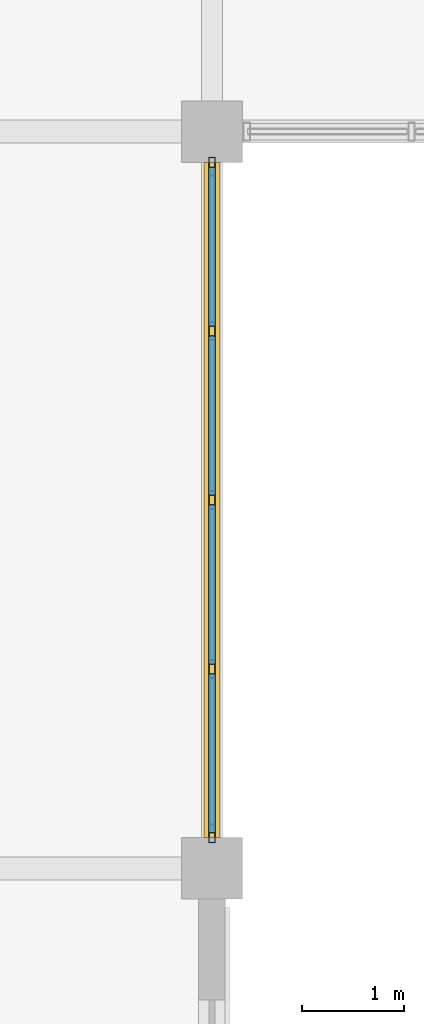
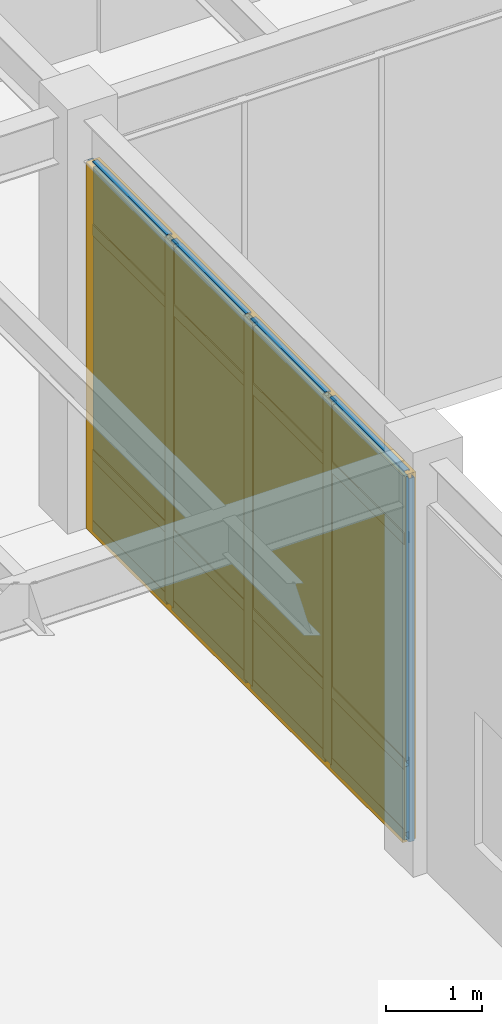
# One storey, part 63 of 97: 21 members, 8 plates, 1 curtain wall.
"""IFC4 building model written with IfcOpenShell, lengths in metres."""

from ifc_helpers import new_model, si_unit, direction, frame, origin, origin_2d, place, context, subcontext, project, spatial, rectangle, hollow_rectangle, extrude, material, layer, layer_set, material_profile, profile_set, type_object, element, aggregate, save


model = new_model("IFC4")

# Units and contexts
model_context = context("Model", 3, precision=1e-05, world=origin(), true_north=direction((0.0, 1.0)))
body_context = subcontext(model_context, "Body", "Model", "MODEL_VIEW")
ifc_project = project(units=[si_unit("LENGTHUNIT", "METRE"), si_unit("AREAUNIT", "SQUARE_METRE"), si_unit("VOLUMEUNIT", "CUBIC_METRE"), si_unit("PLANEANGLEUNIT", "RADIAN"), si_unit("MASSUNIT", "GRAM", prefix="KILO")], contexts=[model_context])

# Member
ifc_material_1 = material(Name="Anodized Aluminium 6063-T6", Category="aluminium")
ifc_material_profile_1 = material_profile(ifc_material_1, hollow_rectangle(XDim=0.06494140625, YDim=0.179931640625, WallThickness=0.00390625, at=origin_2d()), Name="ALU 65x180x4")
ifc_profile_set_1 = profile_set([ifc_material_profile_1], Name="Anodized Aluminium 6063-T6")
member_type_1 = type_object("IfcMemberType", Name="CWM-65X150", PredefinedType="MULLION", material=ifc_profile_set_1)
site_placement = place(None, origin())
building_placement = place(site_placement, origin())
storey_placement = place(building_placement, origin())
member_1_placement = place(storey_placement, frame((36.0, 78.860107421875, 0.02001953125), z_axis=(0.0, 0.0, 1.0), x_axis=(1.0, 0.0, 0.0)))
member_1 = element("IfcMember", 1, at=member_1_placement, type_object=member_type_1, Name="Curtain wall mullion CW-L01-04-10-E-00", PredefinedType="MULLION", context=body_context, shape_type="SweptSolid", body=[
    extrude(hollow_rectangle(XDim=0.06494140625, YDim=0.179931640625, WallThickness=0.00390625, at=origin_2d()), origin(), (0.0, 0.0, 1.0), 4.626953125),
])

member_2_placement = place(storey_placement, frame((36.0, 77.25, 0.02001953125), z_axis=(0.0, 0.0, 1.0), x_axis=(1.0, 0.0, 0.0)))
member_2 = element("IfcMember", 2, at=member_2_placement, type_object=member_type_1, Name="Curtain wall mullion CW-L01-04-10-E-01", PredefinedType="MULLION", context=body_context, shape_type="SweptSolid", body=[
    extrude(hollow_rectangle(XDim=0.06494140625, YDim=0.179931640625, WallThickness=0.00390625, at=origin_2d()), origin(), (0.0, 0.0, 1.0), 4.626953125),
])

member_3_placement = place(storey_placement, frame((36.0, 75.60009765625, 0.02001953125), z_axis=(0.0, 0.0, 1.0), x_axis=(1.0, 0.0, 0.0)))
member_3 = element("IfcMember", 3, at=member_3_placement, type_object=member_type_1, Name="Curtain wall mullion CW-L01-04-10-E-02", PredefinedType="MULLION", context=body_context, shape_type="SweptSolid", body=[
    extrude(hollow_rectangle(XDim=0.06494140625, YDim=0.179931640625, WallThickness=0.00390625, at=origin_2d()), origin(), (0.0, 0.0, 1.0), 4.626953125),
])

member_4_placement = place(storey_placement, frame((36.0, 73.949951171875, 0.02001953125), z_axis=(0.0, 0.0, 1.0), x_axis=(1.0, 0.0, 0.0)))
member_4 = element("IfcMember", 4, at=member_4_placement, type_object=member_type_1, Name="Curtain wall mullion CW-L01-04-10-E-03", PredefinedType="MULLION", context=body_context, shape_type="SweptSolid", body=[
    extrude(hollow_rectangle(XDim=0.06494140625, YDim=0.179931640625, WallThickness=0.00390625, at=origin_2d()), origin(), (0.0, 0.0, 1.0), 4.626953125),
])

member_5_placement = place(storey_placement, frame((36.0, 72.340087890625, 0.02001953125), z_axis=(0.0, 0.0, 1.0), x_axis=(1.0, 0.0, 0.0)))
member_5 = element("IfcMember", 5, at=member_5_placement, type_object=member_type_1, Name="Curtain wall mullion CW-L01-04-10-E-04", PredefinedType="MULLION", context=body_context, shape_type="SweptSolid", body=[
    extrude(hollow_rectangle(XDim=0.06494140625, YDim=0.179931640625, WallThickness=0.00390625, at=origin_2d()), origin(), (0.0, 0.0, 1.0), 4.626953125),
])

ifc_material_profile_2 = material_profile(ifc_material_1, hollow_rectangle(XDim=0.06494140625, YDim=0.139892578125, WallThickness=0.00390625, at=origin_2d()), Name="ALU 65x140x4")
ifc_profile_set_2 = profile_set([ifc_material_profile_2], Name="Anodized Aluminium 6063-T6")
member_type_2 = type_object("IfcMemberType", Name="CWT-65X120", PredefinedType="USERDEFINED", material=ifc_profile_set_2)
member_6_placement = place(storey_placement, frame((36.0, 78.85009765625, 0.050048828125), z_axis=(0.0, -1.0, 0.0), x_axis=(1.0, 0.0, 0.0)))
member_6 = element("IfcMember", 6, at=member_6_placement, type_object=member_type_2, Name="Curtain wall transom CW-L01-04-10-E-1.01", ObjectType="TRANSOM", PredefinedType="USERDEFINED", context=body_context, shape_type="SweptSolid", body=[
    extrude(hollow_rectangle(XDim=0.06494140625, YDim=0.139892578125, WallThickness=0.00390625, at=origin_2d()), origin(), (0.0, 0.0, 1.0), 1.550048828125),
])

member_7_placement = place(storey_placement, frame((36.0, 77.199951171875, 0.050048828125), z_axis=(0.0, -1.0, 0.0), x_axis=(1.0, 0.0, 0.0)))
member_7 = element("IfcMember", 7, at=member_7_placement, type_object=member_type_2, Name="Curtain wall transom CW-L01-04-10-E-1.02", ObjectType="TRANSOM", PredefinedType="USERDEFINED", context=body_context, shape_type="SweptSolid", body=[
    extrude(hollow_rectangle(XDim=0.06494140625, YDim=0.139892578125, WallThickness=0.00390625, at=origin_2d()), origin(), (0.0, 0.0, 1.0), 1.550048828125),
])

member_8_placement = place(storey_placement, frame((36.0, 75.550048828125, 0.050048828125), z_axis=(0.0, -1.0, 0.0), x_axis=(1.0, 0.0, 0.0)))
member_8 = element("IfcMember", 8, at=member_8_placement, type_object=member_type_2, Name="Curtain wall transom CW-L01-04-10-E-1.03", ObjectType="TRANSOM", PredefinedType="USERDEFINED", context=body_context, shape_type="SweptSolid", body=[
    extrude(hollow_rectangle(XDim=0.06494140625, YDim=0.139892578125, WallThickness=0.00390625, at=origin_2d()), origin(), (0.0, 0.0, 1.0), 1.550048828125),
])

member_9_placement = place(storey_placement, frame((36.0, 73.89990234375, 0.050048828125), z_axis=(0.0, -1.0, 0.0), x_axis=(1.0, 0.0, 0.0)))
member_9 = element("IfcMember", 9, at=member_9_placement, type_object=member_type_2, Name="Curtain wall transom CW-L01-04-10-E-1.04", ObjectType="TRANSOM", PredefinedType="USERDEFINED", context=body_context, shape_type="SweptSolid", body=[
    extrude(hollow_rectangle(XDim=0.06494140625, YDim=0.139892578125, WallThickness=0.00390625, at=origin_2d()), origin(), (0.0, 0.0, 1.0), 1.5498046875),
])

member_10_placement = place(storey_placement, frame((36.0, 78.85009765625, 0.949951171875), z_axis=(0.0, -1.0, 0.0), x_axis=(1.0, 0.0, 0.0)))
member_10 = element("IfcMember", 10, at=member_10_placement, type_object=member_type_2, Name="Curtain wall transom CW-L01-04-10-E-2.01", ObjectType="TRANSOM", PredefinedType="USERDEFINED", context=body_context, shape_type="SweptSolid", body=[
    extrude(hollow_rectangle(XDim=0.06494140625, YDim=0.139892578125, WallThickness=0.00390625, at=origin_2d()), origin(), (0.0, 0.0, 1.0), 1.550048828125),
])

member_11_placement = place(storey_placement, frame((36.0, 77.199951171875, 0.949951171875), z_axis=(0.0, -1.0, 0.0), x_axis=(1.0, 0.0, 0.0)))
member_11 = element("IfcMember", 11, at=member_11_placement, type_object=member_type_2, Name="Curtain wall transom CW-L01-04-10-E-2.02", ObjectType="TRANSOM", PredefinedType="USERDEFINED", context=body_context, shape_type="SweptSolid", body=[
    extrude(hollow_rectangle(XDim=0.06494140625, YDim=0.139892578125, WallThickness=0.00390625, at=origin_2d()), origin(), (0.0, 0.0, 1.0), 1.550048828125),
])

member_12_placement = place(storey_placement, frame((36.0, 75.550048828125, 0.949951171875), z_axis=(0.0, -1.0, 0.0), x_axis=(1.0, 0.0, 0.0)))
member_12 = element("IfcMember", 12, at=member_12_placement, type_object=member_type_2, Name="Curtain wall transom CW-L01-04-10-E-2.03", ObjectType="TRANSOM", PredefinedType="USERDEFINED", context=body_context, shape_type="SweptSolid", body=[
    extrude(hollow_rectangle(XDim=0.06494140625, YDim=0.139892578125, WallThickness=0.00390625, at=origin_2d()), origin(), (0.0, 0.0, 1.0), 1.550048828125),
])

member_13_placement = place(storey_placement, frame((36.0, 73.89990234375, 0.949951171875), z_axis=(0.0, -1.0, 0.0), x_axis=(1.0, 0.0, 0.0)))
member_13 = element("IfcMember", 13, at=member_13_placement, type_object=member_type_2, Name="Curtain wall transom CW-L01-04-10-E-2.04", ObjectType="TRANSOM", PredefinedType="USERDEFINED", context=body_context, shape_type="SweptSolid", body=[
    extrude(hollow_rectangle(XDim=0.06494140625, YDim=0.139892578125, WallThickness=0.00390625, at=origin_2d()), origin(), (0.0, 0.0, 1.0), 1.5498046875),
])

member_14_placement = place(storey_placement, frame((36.0, 78.85009765625, 3.81689453125), z_axis=(0.0, -1.0, 0.0), x_axis=(1.0, 0.0, 0.0)))
member_14 = element("IfcMember", 14, at=member_14_placement, type_object=member_type_2, Name="Curtain wall transom CW-L01-04-10-E-3.01", ObjectType="TRANSOM", PredefinedType="USERDEFINED", context=body_context, shape_type="SweptSolid", body=[
    extrude(hollow_rectangle(XDim=0.06494140625, YDim=0.139892578125, WallThickness=0.00390625, at=origin_2d()), origin(), (0.0, 0.0, 1.0), 1.550048828125),
])

member_15_placement = place(storey_placement, frame((36.0, 77.199951171875, 3.81689453125), z_axis=(0.0, -1.0, 0.0), x_axis=(1.0, 0.0, 0.0)))
member_15 = element("IfcMember", 15, at=member_15_placement, type_object=member_type_2, Name="Curtain wall transom CW-L01-04-10-E-3.02", ObjectType="TRANSOM", PredefinedType="USERDEFINED", context=body_context, shape_type="SweptSolid", body=[
    extrude(hollow_rectangle(XDim=0.06494140625, YDim=0.139892578125, WallThickness=0.00390625, at=origin_2d()), origin(), (0.0, 0.0, 1.0), 1.550048828125),
])

member_16_placement = place(storey_placement, frame((36.0, 75.550048828125, 3.81689453125), z_axis=(0.0, -1.0, 0.0), x_axis=(1.0, 0.0, 0.0)))
member_16 = element("IfcMember", 16, at=member_16_placement, type_object=member_type_2, Name="Curtain wall transom CW-L01-04-10-E-3.03", ObjectType="TRANSOM", PredefinedType="USERDEFINED", context=body_context, shape_type="SweptSolid", body=[
    extrude(hollow_rectangle(XDim=0.06494140625, YDim=0.139892578125, WallThickness=0.00390625, at=origin_2d()), origin(), (0.0, 0.0, 1.0), 1.550048828125),
])

member_17_placement = place(storey_placement, frame((36.0, 73.89990234375, 3.81689453125), z_axis=(0.0, -1.0, 0.0), x_axis=(1.0, 0.0, 0.0)))
member_17 = element("IfcMember", 17, at=member_17_placement, type_object=member_type_2, Name="Curtain wall transom CW-L01-04-10-E-3.04", ObjectType="TRANSOM", PredefinedType="USERDEFINED", context=body_context, shape_type="SweptSolid", body=[
    extrude(hollow_rectangle(XDim=0.06494140625, YDim=0.139892578125, WallThickness=0.00390625, at=origin_2d()), origin(), (0.0, 0.0, 1.0), 1.5498046875),
])

member_18_placement = place(storey_placement, frame((36.0, 78.85009765625, 4.616943359375), z_axis=(0.0, -1.0, 0.0), x_axis=(1.0, 0.0, 0.0)))
member_18 = element("IfcMember", 18, at=member_18_placement, type_object=member_type_2, Name="Curtain wall transom CW-L01-04-10-E-4.01", ObjectType="TRANSOM", PredefinedType="USERDEFINED", context=body_context, shape_type="SweptSolid", body=[
    extrude(hollow_rectangle(XDim=0.06494140625, YDim=0.139892578125, WallThickness=0.00390625, at=origin_2d()), origin(), (0.0, 0.0, 1.0), 1.550048828125),
])

member_19_placement = place(storey_placement, frame((36.0, 77.199951171875, 4.616943359375), z_axis=(0.0, -1.0, 0.0), x_axis=(1.0, 0.0, 0.0)))
member_19 = element("IfcMember", 19, at=member_19_placement, type_object=member_type_2, Name="Curtain wall transom CW-L01-04-10-E-4.02", ObjectType="TRANSOM", PredefinedType="USERDEFINED", context=body_context, shape_type="SweptSolid", body=[
    extrude(hollow_rectangle(XDim=0.06494140625, YDim=0.139892578125, WallThickness=0.00390625, at=origin_2d()), origin(), (0.0, 0.0, 1.0), 1.550048828125),
])

member_20_placement = place(storey_placement, frame((36.0, 75.550048828125, 4.616943359375), z_axis=(0.0, -1.0, 0.0), x_axis=(1.0, 0.0, 0.0)))
member_20 = element("IfcMember", 20, at=member_20_placement, type_object=member_type_2, Name="Curtain wall transom CW-L01-04-10-E-4.03", ObjectType="TRANSOM", PredefinedType="USERDEFINED", context=body_context, shape_type="SweptSolid", body=[
    extrude(hollow_rectangle(XDim=0.06494140625, YDim=0.139892578125, WallThickness=0.00390625, at=origin_2d()), origin(), (0.0, 0.0, 1.0), 1.550048828125),
])

member_21_placement = place(storey_placement, frame((36.0, 73.89990234375, 4.616943359375), z_axis=(0.0, -1.0, 0.0), x_axis=(1.0, 0.0, 0.0)))
member_21 = element("IfcMember", 21, at=member_21_placement, type_object=member_type_2, Name="Curtain wall transom CW-L01-04-10-E-4.04", ObjectType="TRANSOM", PredefinedType="USERDEFINED", context=body_context, shape_type="SweptSolid", body=[
    extrude(hollow_rectangle(XDim=0.06494140625, YDim=0.139892578125, WallThickness=0.00390625, at=origin_2d()), origin(), (0.0, 0.0, 1.0), 1.5498046875),
])

# Plate
ifc_material_2 = material(Name="Double Low-E Insulated Glazing Unit", Category="glass")
ifc_layer_1 = layer(ifc_material_2, 0.0380859375)
ifc_layer_set_1 = layer_set([ifc_layer_1], Name="Double Low-E Insulated Glazing Unit")
plate_type_1 = type_object("IfcPlateType", Name="CWP-IGU-38", PredefinedType="CURTAIN_PANEL", material=ifc_layer_set_1)
plate_1_placement = place(storey_placement, frame((36.0, 78.074951171875, 0.990234375), z_axis=(0.0, 0.0, 1.0), x_axis=(0.0, -1.0, 0.0)))
plate_1 = element("IfcPlate", 22, at=plate_1_placement, type_object=plate_type_1, Name="Curtain wall vision glazing CW-L01-04-10-E-01", PredefinedType="CURTAIN_PANEL", context=body_context, shape_type="SweptSolid", body=[
    extrude(rectangle(XDim=1.56005859375, YDim=0.0400390625, at=origin_2d()), origin(), (0.0, 0.0, 1.0), 3.616943359375),
])

plate_2_placement = place(storey_placement, frame((36.0, 76.425048828125, 0.990234375), z_axis=(0.0, 0.0, 1.0), x_axis=(0.0, -1.0, 0.0)))
plate_2 = element("IfcPlate", 23, at=plate_2_placement, type_object=plate_type_1, Name="Curtain wall vision glazing CW-L01-04-10-E-02", PredefinedType="CURTAIN_PANEL", context=body_context, shape_type="SweptSolid", body=[
    extrude(rectangle(XDim=1.56005859375, YDim=0.0400390625, at=origin_2d()), origin(), (0.0, 0.0, 1.0), 3.616943359375),
])

plate_3_placement = place(storey_placement, frame((36.0, 74.77490234375, 0.990234375), z_axis=(0.0, 0.0, 1.0), x_axis=(0.0, -1.0, 0.0)))
plate_3 = element("IfcPlate", 24, at=plate_3_placement, type_object=plate_type_1, Name="Curtain wall vision glazing CW-L01-04-10-E-03", PredefinedType="CURTAIN_PANEL", context=body_context, shape_type="SweptSolid", body=[
    extrude(rectangle(XDim=1.56005859375, YDim=0.0400390625, at=origin_2d()), origin(), (0.0, 0.0, 1.0), 3.616943359375),
])

plate_4_placement = place(storey_placement, frame((36.0, 73.125, 0.990234375), z_axis=(0.0, 0.0, 1.0), x_axis=(0.0, -1.0, 0.0)))
plate_4 = element("IfcPlate", 25, at=plate_4_placement, type_object=plate_type_1, Name="Curtain wall vision glazing CW-L01-04-10-E-04", PredefinedType="CURTAIN_PANEL", context=body_context, shape_type="SweptSolid", body=[
    extrude(rectangle(XDim=1.56005859375, YDim=0.0400390625, at=origin_2d()), origin(), (0.0, 0.0, 1.0), 3.616943359375),
])

ifc_material_3 = material(Name="Insulated Bronze Aluminium Spandrel", Category="aluminium")
ifc_layer_2 = layer(ifc_material_3, 0.06005859375)
ifc_layer_set_2 = layer_set([ifc_layer_2], Name="Insulated Bronze Aluminium Spandrel")
plate_type_2 = type_object("IfcPlateType", Name="CWP-SPN-60", PredefinedType="CURTAIN_PANEL", material=ifc_layer_set_2)
plate_5_placement = place(storey_placement, frame((36.0, 78.074951171875, 0.080078125), z_axis=(0.0, 0.0, 1.0), x_axis=(0.0, -1.0, 0.0)))
plate_5 = element("IfcPlate", 26, at=plate_5_placement, type_object=plate_type_2, Name="Curtain wall spandrel panel CW-L01-04-10-E-01", PredefinedType="CURTAIN_PANEL", context=body_context, shape_type="SweptSolid", body=[
    extrude(rectangle(XDim=1.56005859375, YDim=0.06005859375, at=origin_2d()), origin(), (0.0, 0.0, 1.0), 0.840087890625),
])

plate_6_placement = place(storey_placement, frame((36.0, 76.425048828125, 0.080078125), z_axis=(0.0, 0.0, 1.0), x_axis=(0.0, -1.0, 0.0)))
plate_6 = element("IfcPlate", 27, at=plate_6_placement, type_object=plate_type_2, Name="Curtain wall spandrel panel CW-L01-04-10-E-02", PredefinedType="CURTAIN_PANEL", context=body_context, shape_type="SweptSolid", body=[
    extrude(rectangle(XDim=1.56005859375, YDim=0.06005859375, at=origin_2d()), origin(), (0.0, 0.0, 1.0), 0.840087890625),
])

plate_7_placement = place(storey_placement, frame((36.0, 74.77490234375, 0.080078125), z_axis=(0.0, 0.0, 1.0), x_axis=(0.0, -1.0, 0.0)))
plate_7 = element("IfcPlate", 28, at=plate_7_placement, type_object=plate_type_2, Name="Curtain wall spandrel panel CW-L01-04-10-E-03", PredefinedType="CURTAIN_PANEL", context=body_context, shape_type="SweptSolid", body=[
    extrude(rectangle(XDim=1.56005859375, YDim=0.06005859375, at=origin_2d()), origin(), (0.0, 0.0, 1.0), 0.840087890625),
])

plate_8_placement = place(storey_placement, frame((36.0, 73.125, 0.080078125), z_axis=(0.0, 0.0, 1.0), x_axis=(0.0, -1.0, 0.0)))
plate_8 = element("IfcPlate", 29, at=plate_8_placement, type_object=plate_type_2, Name="Curtain wall spandrel panel CW-L01-04-10-E-04", PredefinedType="CURTAIN_PANEL", context=body_context, shape_type="SweptSolid", body=[
    extrude(rectangle(XDim=1.56005859375, YDim=0.06005859375, at=origin_2d()), origin(), (0.0, 0.0, 1.0), 0.840087890625),
])

# Site, building, storey
site = spatial("IfcSite", under=ifc_project, at=site_placement, CompositionType="ELEMENT")
building = spatial("IfcBuilding", under=site, at=building_placement, Name="Sillqori Civic Hall", CompositionType="ELEMENT")
storey = spatial("IfcBuildingStorey", under=building, at=storey_placement, Name="L01", CompositionType="ELEMENT", Elevation=0.0)

# Curtain wall
ifc_material_4 = material(Name="Anodized Aluminium Curtain Wall System", Category="aluminium")
curtain_wall_type = type_object("IfcCurtainWallType", Name="CW-SF-540", PredefinedType="NOTDEFINED", material=ifc_material_4)
curtain_wall_placement = place(storey_placement, frame((36.0, 75.60009765625, 0.0), z_axis=(0.0, 0.0, 1.0), x_axis=(0.0, -1.0, 0.0)))
curtain_wall = element("IfcCurtainWall", 30, at=curtain_wall_placement, inside=storey, type_object=curtain_wall_type, Name="L01 unitised curtain wall CW-L01-04-10-E", PredefinedType="NOTDEFINED", context=body_context, shape_type="SweptSolid", body=[
    extrude(rectangle(XDim=6.60009765625, YDim=0.159912109375, at=origin_2d()), origin(), (0.0, 0.0, 1.0), 4.6669921875),
])

aggregate(curtain_wall, [member_1, member_2, member_3, member_4, member_5, member_6, member_7, member_8, member_9, member_10, member_11, member_12, member_13, member_14, member_15, member_16, member_17, member_18, member_19, member_20, member_21, plate_5, plate_1, plate_6, plate_2, plate_7, plate_3, plate_8, plate_4])

save(model, "model.ifc")
